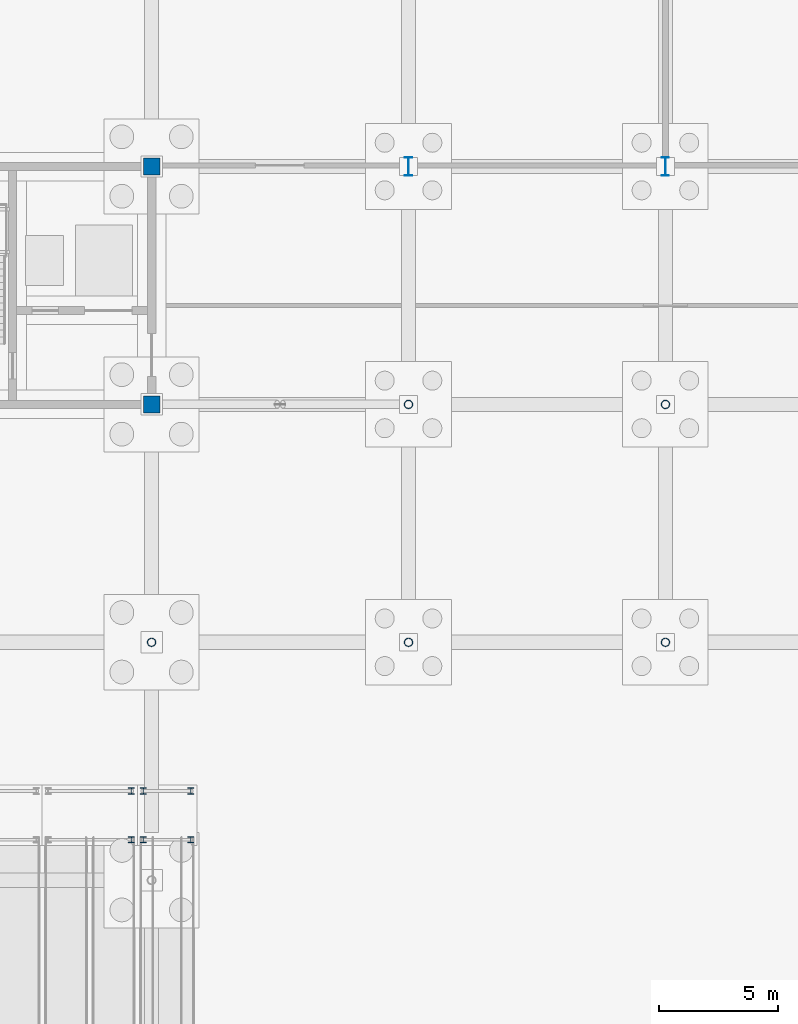
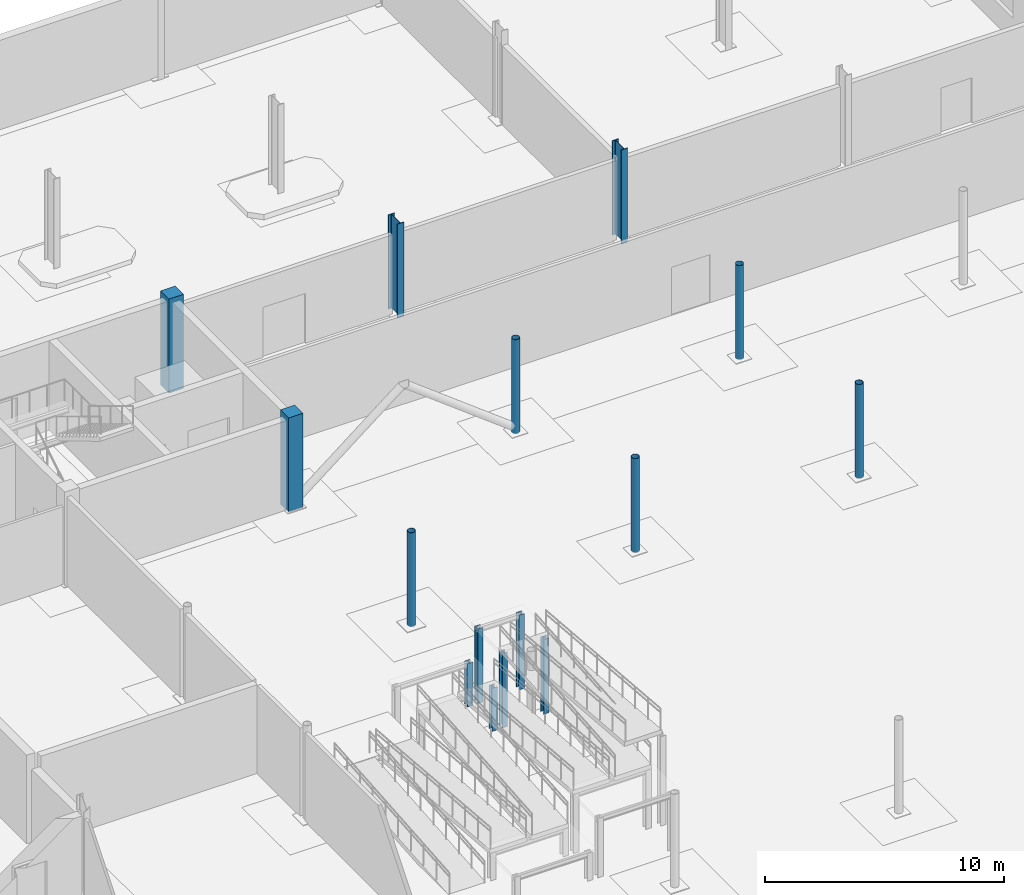
# One storey, part 18 of 73: 15 columns.
"""IFC4 building model written with IfcOpenShell, lengths in metres."""

from ifc_helpers import new_model, si_unit, direction, frame, origin, origin_2d, place, context, subcontext, project, spatial, rectangle, hollow_circle, i_section, extrude, material, material_profile, profile_set, type_object, element, save


model = new_model("IFC4")

# Units and contexts
model_context = context("Model", 3, precision=1e-05, world=origin(), true_north=direction((0.0, 1.0)))
body_context = subcontext(model_context, "Body", "Model", "MODEL_VIEW")
ifc_project = project(units=[si_unit("LENGTHUNIT", "METRE"), si_unit("AREAUNIT", "SQUARE_METRE"), si_unit("VOLUMEUNIT", "CUBIC_METRE"), si_unit("PLANEANGLEUNIT", "RADIAN"), si_unit("MASSUNIT", "GRAM", prefix="KILO")], contexts=[model_context])

# Site, building, storey
site_placement = place(None, origin())
site = spatial("IfcSite", under=ifc_project, at=site_placement, CompositionType="ELEMENT")
building_placement = place(site_placement, origin())
building = spatial("IfcBuilding", under=site, at=building_placement, Name="Tasgan Crest Museum", CompositionType="ELEMENT")
storey_placement = place(building_placement, origin())
storey = spatial("IfcBuildingStorey", under=building, at=storey_placement, Name="L00", CompositionType="ELEMENT", Elevation=0.0)

# Columns
ifc_material_1 = material(Name="Steel S355K2", Category="steel")
ifc_material_profile_1 = material_profile(ifc_material_1, hollow_circle(Radius=0.177734375, WallThickness=0.01611328125, at=origin_2d()), Name="CHS 355.6x16")
ifc_profile_set_1 = profile_set([ifc_material_profile_1], Name="Steel S355K2")
column_type_1 = type_object("IfcColumnType", Name="COL-CHS355", PredefinedType="COLUMN", material=ifc_profile_set_1)
for number, where, z_axis, x_axis, name in (
    (1, (64.800048828125, 72.0, 0.0), (0.0, 0.0, 1.0), (1.0, 0.0, 0.0), "Column 7/H L00"),
    (2, (75.60009765625, 72.0, 0.0), (0.0, 0.0, 1.0), (1.0, 0.0, 0.0), "Column 8/H L00"),
    (3, (75.60009765625, 82.0, 0.0), (0.0, 0.0, 1.0), (1.0, 0.0, 0.0), "Column 8/J L00"),
    (4, (86.39990234375, 72.0, 0.0), (0.0, 0.0, 1.0), (1.0, 0.0, 0.0), "Column 9/H L00"),
    (5, (86.39990234375, 82.0, 0.0), (0.0, 0.0, 1.0), (1.0, 0.0, 0.0), "Column 9/J L00"),
):
    element("IfcColumn", number, at=place(storey_placement, frame(where, z_axis=z_axis, x_axis=x_axis)), inside=storey, type_object=column_type_1, Name=name, PredefinedType="COLUMN", context=body_context, shape_type="SweptSolid", body=[
        extrude(hollow_circle(Radius=0.177734375, WallThickness=0.01611328125, at=origin_2d()), origin(), (0.0, 0.0, 1.0), 4.800048828125),
    ])
ifc_material_2 = material(Name="Steel S355K2", Category="steel")
ifc_material_profile_2 = material_profile(ifc_material_2, i_section(OverallWidth=0.300048828125, OverallDepth=0.7900390625, WebThickness=0.014892578125, FlangeThickness=0.028076171875, FilletRadius=0.030029296875, at=origin_2d()), Name="HEA 800")
ifc_profile_set_2 = profile_set([ifc_material_profile_2], Name="Steel S355K2")
column_type_2 = type_object("IfcColumnType", Name="COL-HEA800", PredefinedType="COLUMN", material=ifc_profile_set_2)
for number, where, z_axis, x_axis, name in (
    (6, (75.60009765625, 92.0, 0.0), (0.0, 0.0, 1.0), (1.0, 0.0, 0.0), "Column 8/K L00"),
    (7, (86.39990234375, 92.0, 0.0), (0.0, 0.0, 1.0), (1.0, 0.0, 0.0), "Column 9/K L00"),
):
    element("IfcColumn", number, at=place(storey_placement, frame(where, z_axis=z_axis, x_axis=x_axis)), inside=storey, type_object=column_type_2, Name=name, PredefinedType="COLUMN", context=body_context, shape_type="SweptSolid", body=[
        extrude(i_section(OverallWidth=0.300048828125, OverallDepth=0.7900390625, WebThickness=0.014892578125, FlangeThickness=0.028076171875, FilletRadius=0.030029296875, at=origin_2d()), origin(), (0.0, 0.0, 1.0), 4.800048828125),
    ])
ifc_material_3 = material(Name="Steel S355J2", Category="steel")
ifc_material_profile_3 = material_profile(ifc_material_3, i_section(OverallWidth=0.260009765625, OverallDepth=0.260009765625, WebThickness=0.010009765625, FlangeThickness=0.017578125, FilletRadius=0.02392578125, at=origin_2d()), Name="HEB 260")
ifc_profile_set_3 = profile_set([ifc_material_profile_3], Name="Steel S355J2")
column_type_3 = type_object("IfcColumnType", Name="COL-RAMP-HEB260", PredefinedType="COLUMN", material=ifc_profile_set_3)
for number, where, z_axis, x_axis, name in (
    (8, (63.949951171875, 63.699951171875, 0.0), (0.0, 0.0, 1.0), (1.0, 0.0, 0.0), "Ramp landing post 3"),
    (9, (63.949951171875, 65.75, 0.0), (0.0, 0.0, 1.0), (1.0, 0.0, 0.0), "Ramp landing post 3"),
):
    element("IfcColumn", number, at=place(storey_placement, frame(where, z_axis=z_axis, x_axis=x_axis)), inside=storey, type_object=column_type_3, Name=name, PredefinedType="COLUMN", context=body_context, shape_type="SweptSolid", body=[
        extrude(i_section(OverallWidth=0.260009765625, OverallDepth=0.260009765625, WebThickness=0.010009765625, FlangeThickness=0.017578125, FilletRadius=0.02392578125, at=origin_2d()), origin(), (0.0, 0.0, 1.0), 2.199951171875),
    ])
for number, where, z_axis, x_axis, name in (
    (10, (64.449951171875, 63.699951171875, 0.0), (0.0, 0.0, 1.0), (1.0, 0.0, 0.0), "Ramp landing post 5"),
    (11, (64.449951171875, 65.75, 0.0), (0.0, 0.0, 1.0), (1.0, 0.0, 0.0), "Ramp landing post 5"),
    (12, (66.449951171875, 63.699951171875, 0.0), (0.0, 0.0, 1.0), (1.0, 0.0, 0.0), "Ramp landing post 5"),
    (13, (66.449951171875, 65.75, 0.0), (0.0, 0.0, 1.0), (1.0, 0.0, 0.0), "Ramp landing post 5"),
):
    element("IfcColumn", number, at=place(storey_placement, frame(where, z_axis=z_axis, x_axis=x_axis)), inside=storey, type_object=column_type_3, Name=name, PredefinedType="COLUMN", context=body_context, shape_type="SweptSolid", body=[
        extrude(i_section(OverallWidth=0.260009765625, OverallDepth=0.260009765625, WebThickness=0.010009765625, FlangeThickness=0.017578125, FilletRadius=0.02392578125, at=origin_2d()), origin(), (0.0, 0.0, 1.0), 3.800048828125),
    ])
ifc_material_4 = material(Name="Concrete C40/50", Category="concrete")
ifc_material_profile_4 = material_profile(ifc_material_4, rectangle(XDim=0.699951171875, YDim=0.699951171875, at=origin_2d()), Name="RC 700x700")
ifc_profile_set_4 = profile_set([ifc_material_profile_4], Name="Concrete C40/50")
column_type_4 = type_object("IfcColumnType", Name="COL-RC700", PredefinedType="COLUMN", material=ifc_profile_set_4)
for number, where, z_axis, x_axis, name in (
    (14, (64.800048828125, 82.0, 0.0), (0.0, 0.0, 1.0), (1.0, 0.0, 0.0), "Column 7/J L00"),
    (15, (64.800048828125, 92.0, 0.0), (0.0, 0.0, 1.0), (1.0, 0.0, 0.0), "Column 7/K L00"),
):
    element("IfcColumn", number, at=place(storey_placement, frame(where, z_axis=z_axis, x_axis=x_axis)), inside=storey, type_object=column_type_4, Name=name, PredefinedType="COLUMN", context=body_context, shape_type="SweptSolid", body=[
        extrude(rectangle(XDim=0.699951171875, YDim=0.699951171875, at=origin_2d()), origin(), (0.0, 0.0, 1.0), 4.800048828125),
    ])

save(model, "model.ifc")
